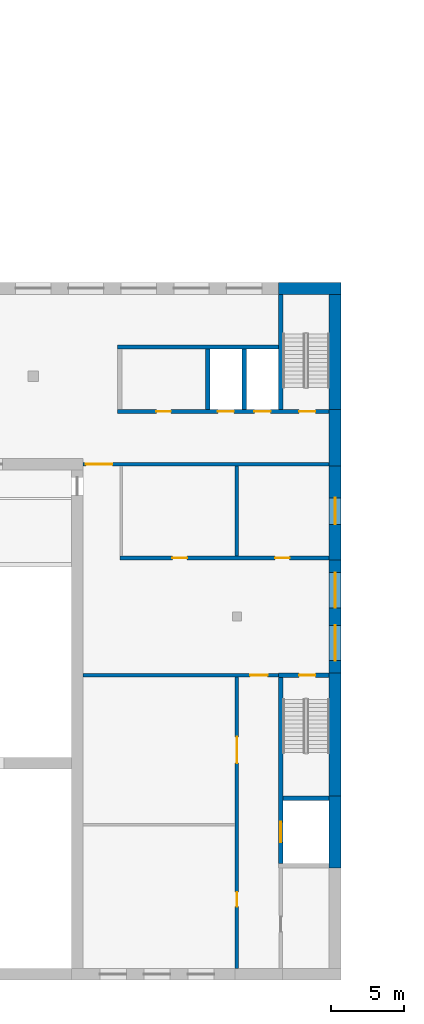
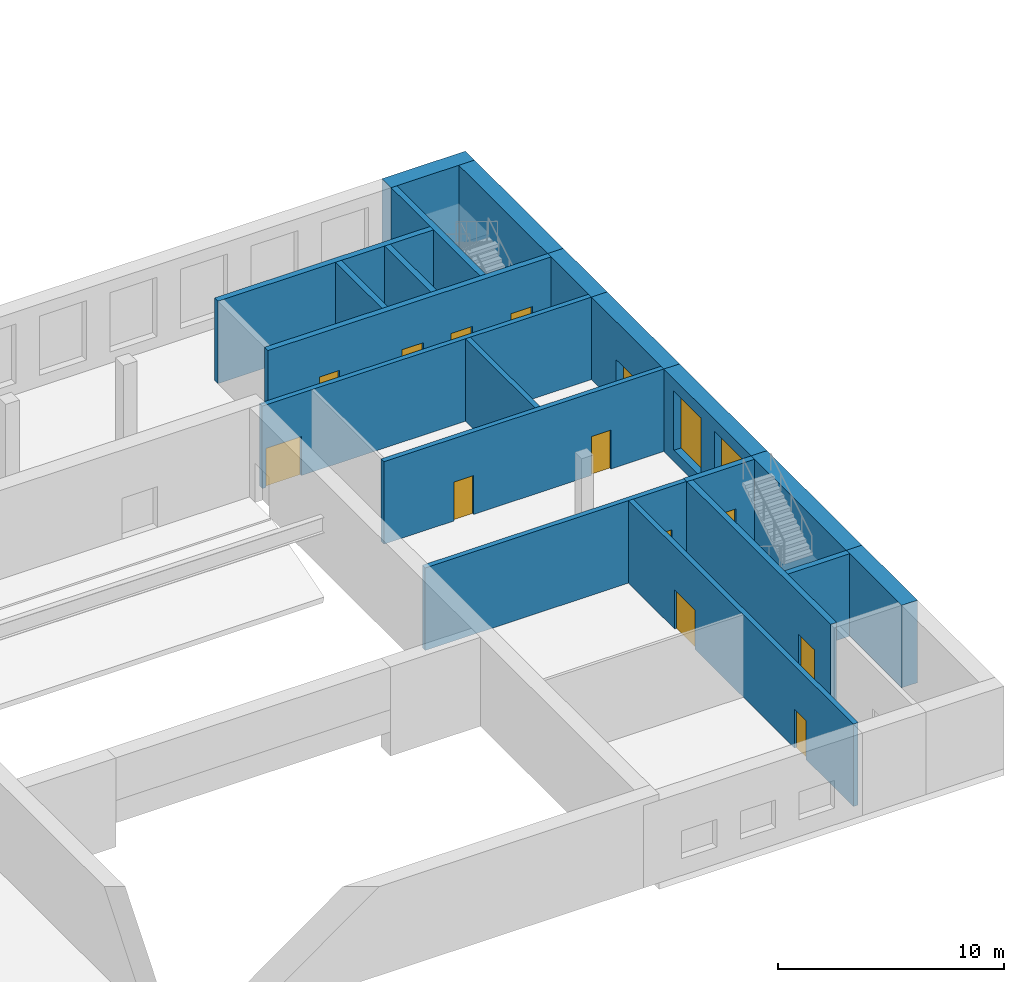
# One storey, part 6 of 27: 20 walls, 12 doors, 3 windows, 15 openings.
"""IFC4 building model written with IfcOpenShell, lengths in metres."""

from ifc_helpers import new_model, si_unit, direction, frame, frame_2d, origin, place, context, subcontext, project, spatial, rectangle, extrude, material, layer, layer_set, type_object, element, fill, save


model = new_model("IFC4")

# Units and contexts
model_context = context("Model", 3, precision=1e-05, world=origin(), true_north=direction((0.0, 1.0)))
body_context = subcontext(model_context, "Body", "Model", "MODEL_VIEW")
ifc_project = project(units=[si_unit("LENGTHUNIT", "METRE"), si_unit("AREAUNIT", "SQUARE_METRE"), si_unit("VOLUMEUNIT", "CUBIC_METRE"), si_unit("PLANEANGLEUNIT", "RADIAN"), si_unit("MASSUNIT", "GRAM", prefix="KILO")], contexts=[model_context])

# Site, building, storey
site_placement = place(None, origin())
site = spatial("IfcSite", under=ifc_project, at=site_placement, CompositionType="ELEMENT")
building_placement = place(site_placement, origin())
building = spatial("IfcBuilding", under=site, at=building_placement, Name="Kiln Ring Residences", CompositionType="ELEMENT")
storey_placement = place(building_placement, frame((0.0, 0.0, 6.5)))
storey = spatial("IfcBuildingStorey", under=building, at=storey_placement, Name="L01", CompositionType="ELEMENT", Elevation=6.5)

# Walls
ifc_material_1 = material(Name="Concrete C40/50", Category="concrete")
ifc_layer_1 = layer(ifc_material_1, 0.800048828125)
ifc_layer_set_1 = layer_set([ifc_layer_1], Name="Hall Exposed brick-faced reinforced concrete C40/50 wall 800")
wall_type_1 = type_object("IfcWallType", Name="Hall Exposed brick-faced reinforced concrete C40/50 wall 800", PredefinedType="SOLIDWALL", material=ifc_layer_set_1)
wall_1_placement = place(storey_placement, frame((25.75, -112.800048828125, 0.0), z_axis=(0.0, 0.0, 1.0), x_axis=(1.0, 0.0, 0.0)))
element("IfcWall", 1, at=wall_1_placement, inside=storey, type_object=wall_type_1, Name="Hall wall L01 28", PredefinedType="SOLIDWALL", context=body_context, shape_type="SweptSolid", body=[
    extrude(rectangle(XDim=4.25, YDim=0.800048828125, at=frame_2d((2.125, 0.0))), origin(), (0.0, 0.0, 1.0), 4.449951171875),
])
wall_2_placement = place(storey_placement, frame((29.60009765625, -147.4501953125, 0.0), z_axis=(0.0, 0.0, 1.0), x_axis=(0.0, -1.0, 0.0)))
element("IfcWall", 2, at=wall_2_placement, inside=storey, type_object=wall_type_1, Name="Hall wall L01 57", PredefinedType="SOLIDWALL", context=body_context, shape_type="SweptSolid", body=[
    extrude(rectangle(XDim=4.899658203125, YDim=0.800048828125, at=frame_2d((2.44970703125, 0.0))), origin(), (0.0, 0.0, 1.0), 4.449951171875),
])
wall_3_placement = place(storey_placement, frame((29.60009765625, -139.050048828125, 0.0), z_axis=(0.0, 0.0, 1.0), x_axis=(0.0, -1.0, 0.0)))
element("IfcWall", 3, at=wall_3_placement, inside=storey, type_object=wall_type_1, Name="Hall wall L01 58", PredefinedType="SOLIDWALL", context=body_context, shape_type="SweptSolid", body=[
    extrude(rectangle(XDim=8.699951171875, YDim=0.800048828125, at=frame_2d((4.35009765625, 0.0))), origin(), (0.0, 0.0, 1.0), 4.449951171875),
])

# Wall, openings, windows
wall_4_placement = place(storey_placement, frame((29.60009765625, -131.0751953125, 0.0), z_axis=(0.0, 0.0, 1.0), x_axis=(0.0, -1.0, 0.0)))
wall_4 = element("IfcWall", 4, at=wall_4_placement, inside=storey, type_object=wall_type_1, Name="Hall wall L01 59", PredefinedType="SOLIDWALL", context=body_context, shape_type="SweptSolid", body=[
    extrude(rectangle(XDim=8.274658203125, YDim=0.800048828125, at=frame_2d((4.13720703125, 0.0))), origin(), (0.0, 0.0, 1.0), 4.449951171875),
])
opening_1_placement = place(wall_4_placement, frame((4.724853515625, 0.0, 0.60009765625)))
opening_1 = element("IfcOpeningElement", 5, at=opening_1_placement, cuts=wall_4, Name="Opening WL01-17", PredefinedType="OPENING", context=body_context, shape_type="SweptSolid", body=[
    extrude(rectangle(XDim=2.39990234375, YDim=3.199951171875, at=frame_2d((1.199951171875, 1.60009765625))), frame((0.0, 0.409912109375, 0.0), z_axis=(0.0, -1.0, 0.0), x_axis=(1.0, 0.0, 0.0)), (0.0, 0.0, 1.0), 0.820068359375),
])
opening_2_placement = place(wall_4_placement, frame((1.125, 0.0, 0.60009765625)))
opening_2 = element("IfcOpeningElement", 6, at=opening_2_placement, cuts=wall_4, Name="Opening WL01-18", PredefinedType="OPENING", context=body_context, shape_type="SweptSolid", body=[
    extrude(rectangle(XDim=2.39990234375, YDim=3.199951171875, at=frame_2d((1.199951171875, 1.60009765625))), frame((0.0, 0.409912109375, 0.0), z_axis=(0.0, -1.0, 0.0), x_axis=(1.0, 0.0, 0.0)), (0.0, 0.0, 1.0), 0.820068359375),
])
ifc_material_2 = material(Name="Glazing in aluminium frame", Category="aluminium")
window_type_1 = type_object("IfcWindowType", Name="Hall foyer window 2400 x 3200", PartitioningType="SINGLE_PANEL", PredefinedType="WINDOW", material=ifc_material_2)
window_1_placement = place(opening_1_placement, origin())
window_1 = element("IfcWindow", 7, at=window_1_placement, inside=storey, type_object=window_type_1, Name="Hall window L01-17", OverallHeight=3.199951171875, OverallWidth=2.39990234375, PartitioningType="SINGLE_PANEL", PredefinedType="WINDOW", context=body_context, shape_type="SweptSolid", body=[
    extrude(rectangle(XDim=2.39990234375, YDim=3.199951171875, at=frame_2d((1.199951171875, 1.60009765625))), frame((0.0, 0.030029296875, 0.0), z_axis=(0.0, -1.0, 0.0), x_axis=(1.0, 0.0, 0.0)), (0.0, 0.0, 1.0), 0.06005859375),
])
fill(opening_1, window_1)
window_2_placement = place(opening_2_placement, origin())
window_2 = element("IfcWindow", 8, at=window_2_placement, inside=storey, type_object=window_type_1, Name="Hall window L01-18", OverallHeight=3.199951171875, OverallWidth=2.39990234375, PartitioningType="SINGLE_PANEL", PredefinedType="WINDOW", context=body_context, shape_type="SweptSolid", body=[
    extrude(rectangle(XDim=2.39990234375, YDim=3.199951171875, at=frame_2d((1.199951171875, 1.60009765625))), frame((0.0, 0.030029296875, 0.0), z_axis=(0.0, -1.0, 0.0), x_axis=(1.0, 0.0, 0.0)), (0.0, 0.0, 1.0), 0.06005859375),
])
fill(opening_2, window_2)

# Wall, opening, window
wall_5_placement = place(storey_placement, frame((29.60009765625, -124.675048828125, 0.0), z_axis=(0.0, 0.0, 1.0), x_axis=(0.0, -1.0, 0.0)))
wall_5 = element("IfcWall", 9, at=wall_5_placement, inside=storey, type_object=wall_type_1, Name="Hall wall L01 60", PredefinedType="SOLIDWALL", context=body_context, shape_type="SweptSolid", body=[
    extrude(rectangle(XDim=6.64990234375, YDim=0.800048828125, at=frame_2d((3.324951171875, 0.0))), origin(), (0.0, 0.0, 1.0), 4.449951171875),
])
opening_3_placement = place(wall_5_placement, frame((2.4248046875, 0.0, 0.89990234375)))
opening_3 = element("IfcOpeningElement", 10, at=opening_3_placement, cuts=wall_5, Name="Opening WL01-19", PredefinedType="OPENING", context=body_context, shape_type="SweptSolid", body=[
    extrude(rectangle(XDim=1.800048828125, YDim=1.5, at=frame_2d((0.89990234375, 0.75))), frame((0.0, 0.409912109375, 0.0), z_axis=(0.0, -1.0, 0.0), x_axis=(1.0, 0.0, 0.0)), (0.0, 0.0, 1.0), 0.820068359375),
])
ifc_material_3 = material(Name="Glazing in aluminium frame", Category="aluminium")
window_type_2 = type_object("IfcWindowType", Name="Hall room window 1800 x 1500", PartitioningType="DOUBLE_PANEL_VERTICAL", PredefinedType="WINDOW", material=ifc_material_3)
window_3_placement = place(opening_3_placement, origin())
window_3 = element("IfcWindow", 11, at=window_3_placement, inside=storey, type_object=window_type_2, Name="Hall window L01-19", OverallHeight=1.5, OverallWidth=1.800048828125, PartitioningType="SINGLE_PANEL", PredefinedType="WINDOW", context=body_context, shape_type="SweptSolid", body=[
    extrude(rectangle(XDim=1.800048828125, YDim=1.5, at=frame_2d((0.89990234375, 0.75))), frame((0.0, 0.030029296875, 0.0), z_axis=(0.0, -1.0, 0.0), x_axis=(1.0, 0.0, 0.0)), (0.0, 0.0, 1.0), 0.06005859375),
])
fill(opening_3, window_3)

# Walls
wall_6_placement = place(storey_placement, frame((29.60009765625, -121.050048828125, 0.0), z_axis=(0.0, 0.0, 1.0), x_axis=(0.0, -1.0, 0.0)))
element("IfcWall", 12, at=wall_6_placement, inside=storey, type_object=wall_type_1, Name="Hall wall L01 61", PredefinedType="SOLIDWALL", context=body_context, shape_type="SweptSolid", body=[
    extrude(rectangle(XDim=3.874755859375, YDim=0.800048828125, at=frame_2d((1.9375, 0.0))), origin(), (0.0, 0.0, 1.0), 4.449951171875),
])
wall_7_placement = place(storey_placement, frame((29.60009765625, -113.199951171875, 0.0), z_axis=(0.0, 0.0, 1.0), x_axis=(0.0, -1.0, 0.0)))
element("IfcWall", 13, at=wall_7_placement, inside=storey, type_object=wall_type_1, Name="Hall wall L01 62", PredefinedType="SOLIDWALL", context=body_context, shape_type="SweptSolid", body=[
    extrude(rectangle(XDim=8.14990234375, YDim=0.800048828125, at=frame_2d((4.074951171875, 0.0))), origin(), (0.0, 0.0, 1.0), 4.449951171875),
])
ifc_material_4 = material(Name="Concrete C40/50", Category="concrete")
ifc_layer_2 = layer(ifc_material_4, 0.300048828125)
ifc_layer_set_2 = layer_set([ifc_layer_2], Name="Hall Reinforced concrete C40/50 core wall 300")
wall_type_2 = type_object("IfcWallType", Name="Hall Reinforced concrete C40/50 core wall 300", PredefinedType="SOLIDWALL", material=ifc_layer_set_2)
wall_8_placement = place(storey_placement, frame((26.050048828125, -147.60009765625, 0.0), z_axis=(0.0, 0.0, 1.0), x_axis=(1.0, 0.0, 0.0)))
element("IfcWall", 14, at=wall_8_placement, inside=storey, type_object=wall_type_2, Name="Hall wall L01 11", PredefinedType="SOLIDWALL", context=body_context, shape_type="SweptSolid", body=[
    extrude(rectangle(XDim=3.14990234375, YDim=0.300048828125, at=frame_2d((1.574951171875, 0.0))), origin(), (0.0, 0.0, 1.0), 4.449951171875),
])

# Wall, opening, door
wall_9_placement = place(storey_placement, frame((25.75, -139.199951171875, 0.0), z_axis=(0.0, 0.0, 1.0), x_axis=(1.0, 0.0, 0.0)))
wall_9 = element("IfcWall", 15, at=wall_9_placement, inside=storey, type_object=wall_type_2, Name="Hall wall L01 16", PredefinedType="SOLIDWALL", context=body_context, shape_type="SweptSolid", body=[
    extrude(rectangle(XDim=3.449951171875, YDim=0.300048828125, at=frame_2d((1.72509765625, 0.0))), origin(), (0.0, 0.0, 1.0), 4.449951171875),
])
opening_4_placement = place(wall_9_placement, frame((1.39990234375, 0.0, 0.0)))
opening_4 = element("IfcOpeningElement", 16, at=opening_4_placement, cuts=wall_9, Name="Opening L01-09", PredefinedType="OPENING", context=body_context, shape_type="SweptSolid", body=[
    extrude(rectangle(XDim=1.10009765625, YDim=2.10009765625, at=frame_2d((0.550048828125, 1.050048828125))), frame((0.0, 0.159912109375, 0.0), z_axis=(0.0, -1.0, 0.0), x_axis=(1.0, 0.0, 0.0)), (0.0, 0.0, 1.0), 0.320068359375),
])
ifc_material_5 = material(Name="Steel door leaf", Category="steel")
door_type_1 = type_object("IfcDoorType", Name="Hall Stair door 1100 x 2100", OperationType="SINGLE_SWING_LEFT", PredefinedType="DOOR", material=ifc_material_5)
door_1_placement = place(opening_4_placement, origin())
door_1 = element("IfcDoor", 17, at=door_1_placement, inside=storey, type_object=door_type_1, Name="Hall door L01-09", OperationType="SINGLE_SWING_LEFT", OverallHeight=2.10009765625, OverallWidth=1.10009765625, PredefinedType="DOOR", context=body_context, shape_type="SweptSolid", body=[
    extrude(rectangle(XDim=1.10009765625, YDim=2.10009765625, at=frame_2d((0.550048828125, 1.050048828125))), frame((0.0, 0.02490234375, 0.0), z_axis=(0.0, -1.0, 0.0), x_axis=(1.0, 0.0, 0.0)), (0.0, 0.0, 1.0), 0.050048828125),
])
fill(opening_4, door_1)

# Wall, openings, doors
wall_10_placement = place(storey_placement, frame((14.75, -121.199951171875, 0.0), z_axis=(0.0, 0.0, 1.0), x_axis=(1.0, 0.0, 0.0)))
wall_10 = element("IfcWall", 18, at=wall_10_placement, inside=storey, type_object=wall_type_2, Name="Hall wall L01 23", PredefinedType="SOLIDWALL", context=body_context, shape_type="SweptSolid", body=[
    extrude(rectangle(XDim=14.449951171875, YDim=0.300048828125, at=frame_2d((7.22509765625, 0.0))), origin(), (0.0, 0.0, 1.0), 4.449951171875),
])
opening_5_placement = place(wall_10_placement, frame((6.85009765625, 0.0, 0.0)))
opening_5 = element("IfcOpeningElement", 19, at=opening_5_placement, cuts=wall_10, Name="Opening L01-03", PredefinedType="OPENING", context=body_context, shape_type="SweptSolid", body=[
    extrude(rectangle(XDim=1.10009765625, YDim=2.10009765625, at=frame_2d((0.550048828125, 1.050048828125))), frame((0.0, 0.159912109375, 0.0), z_axis=(0.0, -1.0, 0.0), x_axis=(1.0, 0.0, 0.0)), (0.0, 0.0, 1.0), 0.320068359375),
])
opening_6_placement = place(wall_10_placement, frame((9.35009765625, 0.0, 0.0)))
opening_6 = element("IfcOpeningElement", 20, at=opening_6_placement, cuts=wall_10, Name="Opening L01-04", PredefinedType="OPENING", context=body_context, shape_type="SweptSolid", body=[
    extrude(rectangle(XDim=1.10009765625, YDim=2.10009765625, at=frame_2d((0.550048828125, 1.050048828125))), frame((0.0, 0.159912109375, 0.0), z_axis=(0.0, -1.0, 0.0), x_axis=(1.0, 0.0, 0.0)), (0.0, 0.0, 1.0), 0.320068359375),
])
opening_7_placement = place(wall_10_placement, frame((12.39990234375, 0.0, 0.0)))
opening_7 = element("IfcOpeningElement", 21, at=opening_7_placement, cuts=wall_10, Name="Opening L01-07", PredefinedType="OPENING", context=body_context, shape_type="SweptSolid", body=[
    extrude(rectangle(XDim=1.10009765625, YDim=2.10009765625, at=frame_2d((0.550048828125, 1.050048828125))), frame((0.0, 0.159912109375, 0.0), z_axis=(0.0, -1.0, 0.0), x_axis=(1.0, 0.0, 0.0)), (0.0, 0.0, 1.0), 0.320068359375),
])
opening_8_placement = place(wall_10_placement, frame((2.64990234375, 0.0, 0.0)))
opening_8 = element("IfcOpeningElement", 22, at=opening_8_placement, cuts=wall_10, Name="Opening L01-11", PredefinedType="OPENING", context=body_context, shape_type="SweptSolid", body=[
    extrude(rectangle(XDim=1.0, YDim=2.10009765625, at=frame_2d((0.5, 1.050048828125))), frame((0.0, 0.159912109375, 0.0), z_axis=(0.0, -1.0, 0.0), x_axis=(1.0, 0.0, 0.0)), (0.0, 0.0, 1.0), 0.320068359375),
])
ifc_material_6 = material(Name="Steel door leaf", Category="steel")
door_type_2 = type_object("IfcDoorType", Name="Hall Lift landing door 1100 x 2100", OperationType="DOUBLE_DOOR_SLIDING", PredefinedType="DOOR", material=ifc_material_6)
door_2_placement = place(opening_5_placement, origin())
door_2 = element("IfcDoor", 23, at=door_2_placement, inside=storey, type_object=door_type_2, Name="Hall door L01-03", OperationType="DOUBLE_DOOR_SLIDING", OverallHeight=2.10009765625, OverallWidth=1.10009765625, PredefinedType="DOOR", context=body_context, shape_type="SweptSolid", body=[
    extrude(rectangle(XDim=1.10009765625, YDim=2.10009765625, at=frame_2d((0.550048828125, 1.050048828125))), frame((0.0, 0.02490234375, 0.0), z_axis=(0.0, -1.0, 0.0), x_axis=(1.0, 0.0, 0.0)), (0.0, 0.0, 1.0), 0.050048828125),
])
fill(opening_5, door_2)
door_3_placement = place(opening_6_placement, origin())
door_3 = element("IfcDoor", 24, at=door_3_placement, inside=storey, type_object=door_type_2, Name="Hall door L01-04", OperationType="DOUBLE_DOOR_SLIDING", OverallHeight=2.10009765625, OverallWidth=1.10009765625, PredefinedType="DOOR", context=body_context, shape_type="SweptSolid", body=[
    extrude(rectangle(XDim=1.10009765625, YDim=2.10009765625, at=frame_2d((0.550048828125, 1.050048828125))), frame((0.0, 0.02490234375, 0.0), z_axis=(0.0, -1.0, 0.0), x_axis=(1.0, 0.0, 0.0)), (0.0, 0.0, 1.0), 0.050048828125),
])
fill(opening_6, door_3)
ifc_material_7 = material(Name="Steel door leaf", Category="steel")
door_type_3 = type_object("IfcDoorType", Name="Hall Single door 1000 x 2100", OperationType="SINGLE_SWING_LEFT", PredefinedType="DOOR", material=ifc_material_7)
door_4_placement = place(opening_8_placement, origin())
door_4 = element("IfcDoor", 25, at=door_4_placement, inside=storey, type_object=door_type_3, Name="Hall door L01-11", OperationType="SINGLE_SWING_LEFT", OverallHeight=2.10009765625, OverallWidth=1.0, PredefinedType="DOOR", context=body_context, shape_type="SweptSolid", body=[
    extrude(rectangle(XDim=1.0, YDim=2.10009765625, at=frame_2d((0.5, 1.050048828125))), frame((0.0, 0.02490234375, 0.0), z_axis=(0.0, -1.0, 0.0), x_axis=(1.0, 0.0, 0.0)), (0.0, 0.0, 1.0), 0.050048828125),
])
fill(opening_8, door_4)
door_5_placement = place(opening_7_placement, origin())
door_5 = element("IfcDoor", 26, at=door_5_placement, inside=storey, type_object=door_type_1, Name="Hall door L01-07", OperationType="SINGLE_SWING_LEFT", OverallHeight=2.10009765625, OverallWidth=1.10009765625, PredefinedType="DOOR", context=body_context, shape_type="SweptSolid", body=[
    extrude(rectangle(XDim=1.10009765625, YDim=2.10009765625, at=frame_2d((0.550048828125, 1.050048828125))), frame((0.0, 0.02490234375, 0.0), z_axis=(0.0, -1.0, 0.0), x_axis=(1.0, 0.0, 0.0)), (0.0, 0.0, 1.0), 0.050048828125),
])
fill(opening_7, door_5)

# Walls
wall_11_placement = place(storey_placement, frame((14.75, -116.800048828125, 0.0), z_axis=(0.0, 0.0, 1.0), x_axis=(1.0, 0.0, 0.0)))
element("IfcWall", 27, at=wall_11_placement, inside=storey, type_object=wall_type_2, Name="Hall wall L01 25", PredefinedType="SOLIDWALL", context=body_context, shape_type="SweptSolid", body=[
    extrude(rectangle(XDim=11.0, YDim=0.300048828125, at=frame_2d((5.5, 0.0))), origin(), (0.0, 0.0, 1.0), 4.449951171875),
])
for number, where, z_axis, x_axis, name in (
    (28, (20.89990234375, -121.050048828125, 0.0), (0.0, 0.0, 1.0), (0.0, 1.0, 0.0), "Hall wall L01 49"),
    (29, (23.39990234375, -121.050048828125, 0.0), (0.0, 0.0, 1.0), (0.0, 1.0, 0.0), "Hall wall L01 52"),
):
    element("IfcWall", number, at=place(storey_placement, frame(where, z_axis=z_axis, x_axis=x_axis)), inside=storey, type_object=wall_type_2, Name=name, PredefinedType="SOLIDWALL", context=body_context, shape_type="SweptSolid", body=[
        extrude(rectangle(XDim=4.10009765625, YDim=0.300048828125, at=frame_2d((2.050048828125, 0.0))), origin(), (0.0, 0.0, 1.0), 4.449951171875),
    ])

# Wall, opening, door
wall_12_placement = place(storey_placement, frame((25.89990234375, -152.050048828125, 0.0), z_axis=(0.0, 0.0, 1.0), x_axis=(0.0, 1.0, 0.0)))
wall_12 = element("IfcWall", 30, at=wall_12_placement, inside=storey, type_object=wall_type_2, Name="Hall wall L01 54", PredefinedType="SOLIDWALL", context=body_context, shape_type="SweptSolid", body=[
    extrude(rectangle(XDim=12.824951171875, YDim=0.300048828125, at=frame_2d((6.41259765625, 0.0))), origin(), (0.0, 0.0, 1.0), 4.449951171875),
])
opening_9_placement = place(wall_12_placement, frame((1.449951171875, 0.0, 0.0)))
opening_9 = element("IfcOpeningElement", 31, at=opening_9_placement, cuts=wall_12, Name="Opening L01-05", PredefinedType="OPENING", context=body_context, shape_type="SweptSolid", body=[
    extrude(rectangle(XDim=1.39990234375, YDim=2.199951171875, at=frame_2d((0.699951171875, 1.10009765625))), frame((0.0, 0.159912109375, 0.0), z_axis=(0.0, -1.0, 0.0), x_axis=(1.0, 0.0, 0.0)), (0.0, 0.0, 1.0), 0.320068359375),
])
ifc_material_8 = material(Name="Steel door leaf", Category="steel")
door_type_4 = type_object("IfcDoorType", Name="Hall Goods lift landing door 1400 x 2200", OperationType="DOUBLE_DOOR_SLIDING", PredefinedType="DOOR", material=ifc_material_8)
door_6_placement = place(opening_9_placement, origin())
door_6 = element("IfcDoor", 32, at=door_6_placement, inside=storey, type_object=door_type_4, Name="Hall door L01-05", OperationType="DOUBLE_DOOR_SLIDING", OverallHeight=2.199951171875, OverallWidth=1.39990234375, PredefinedType="DOOR", context=body_context, shape_type="SweptSolid", body=[
    extrude(rectangle(XDim=1.39990234375, YDim=2.199951171875, at=frame_2d((0.699951171875, 1.10009765625))), frame((0.0, 0.02490234375, 0.0), z_axis=(0.0, -1.0, 0.0), x_axis=(1.0, 0.0, 0.0)), (0.0, 0.0, 1.0), 0.050048828125),
])
fill(opening_9, door_6)

# Wall
wall_13_placement = place(storey_placement, frame((25.89990234375, -121.050048828125, 0.0), z_axis=(0.0, 0.0, 1.0), x_axis=(0.0, 1.0, 0.0)))
element("IfcWall", 33, at=wall_13_placement, inside=storey, type_object=wall_type_2, Name="Hall wall L01 55", PredefinedType="SOLIDWALL", context=body_context, shape_type="SweptSolid", body=[
    extrude(rectangle(XDim=7.85009765625, YDim=0.300048828125, at=frame_2d((3.925048828125, 0.0))), origin(), (0.0, 0.0, 1.0), 4.449951171875),
])

# Wall, opening, door
ifc_material_9 = material(Name="Concrete C40/50", Category="concrete")
ifc_layer_3 = layer(ifc_material_9, 0.25)
ifc_layer_set_3 = layer_set([ifc_layer_3], Name="Hall Reinforced concrete C40/50 wall 250")
wall_type_3 = type_object("IfcWallType", Name="Hall Reinforced concrete C40/50 wall 250", PredefinedType="SOLIDWALL", material=ifc_layer_set_3)
wall_14_placement = place(storey_placement, frame((12.39990234375, -139.199951171875, 0.0), z_axis=(0.0, 0.0, 1.0), x_axis=(1.0, 0.0, 0.0)))
wall_14 = element("IfcWall", 34, at=wall_14_placement, inside=storey, type_object=wall_type_3, Name="Hall wall L01 15", PredefinedType="SOLIDWALL", context=body_context, shape_type="SweptSolid", body=[
    extrude(rectangle(XDim=13.35009765625, YDim=0.25, at=frame_2d((6.675048828125, 0.0))), origin(), (0.0, 0.0, 1.0), 4.449951171875),
])
opening_10_placement = place(wall_14_placement, frame((11.39990234375, 0.0, 0.0)))
opening_10 = element("IfcOpeningElement", 35, at=opening_10_placement, cuts=wall_14, Name="Opening L01-22", PredefinedType="OPENING", context=body_context, shape_type="SweptSolid", body=[
    extrude(rectangle(XDim=1.199951171875, YDim=2.10009765625, at=frame_2d((0.60009765625, 1.050048828125))), frame((0.0, 0.135009765625, 0.0), z_axis=(0.0, -1.0, 0.0), x_axis=(1.0, 0.0, 0.0)), (0.0, 0.0, 1.0), 0.27001953125),
])
ifc_material_10 = material(Name="Steel door leaf", Category="steel")
door_type_5 = type_object("IfcDoorType", Name="Hall Single door 1200 x 2100", OperationType="SINGLE_SWING_LEFT", PredefinedType="DOOR", material=ifc_material_10)
door_7_placement = place(opening_10_placement, origin())
door_7 = element("IfcDoor", 36, at=door_7_placement, inside=storey, type_object=door_type_5, Name="Hall door L01-22", OperationType="SINGLE_SWING_RIGHT", OverallHeight=2.10009765625, OverallWidth=1.199951171875, PredefinedType="DOOR", context=body_context, shape_type="SweptSolid", body=[
    extrude(rectangle(XDim=1.199951171875, YDim=2.10009765625, at=frame_2d((0.60009765625, 1.050048828125))), frame((0.0, 0.02490234375, 0.0), z_axis=(0.0, -1.0, 0.0), x_axis=(1.0, 0.0, 0.0)), (0.0, 0.0, 1.0), 0.050048828125),
])
fill(opening_10, door_7)

# Wall, openings, doors
wall_15_placement = place(storey_placement, frame((14.925048828125, -131.199951171875, 0.0), z_axis=(0.0, 0.0, 1.0), x_axis=(1.0, 0.0, 0.0)))
wall_15 = element("IfcWall", 37, at=wall_15_placement, inside=storey, type_object=wall_type_3, Name="Hall wall L01 18", PredefinedType="SOLIDWALL", context=body_context, shape_type="SweptSolid", body=[
    extrude(rectangle(XDim=14.27490234375, YDim=0.25, at=frame_2d((7.137451171875, 0.0))), origin(), (0.0, 0.0, 1.0), 4.449951171875),
])
opening_11_placement = place(wall_15_placement, frame((3.574951171875, 0.0, 0.0)))
opening_11 = element("IfcOpeningElement", 38, at=opening_11_placement, cuts=wall_15, Name="Opening L01-28", PredefinedType="OPENING", context=body_context, shape_type="SweptSolid", body=[
    extrude(rectangle(XDim=1.0, YDim=2.10009765625, at=frame_2d((0.5, 1.050048828125))), frame((0.0, 0.135009765625, 0.0), z_axis=(0.0, -1.0, 0.0), x_axis=(1.0, 0.0, 0.0)), (0.0, 0.0, 1.0), 0.27001953125),
])
opening_12_placement = place(wall_15_placement, frame((10.574951171875, 0.0, 0.0)))
opening_12 = element("IfcOpeningElement", 39, at=opening_12_placement, cuts=wall_15, Name="Opening L01-29", PredefinedType="OPENING", context=body_context, shape_type="SweptSolid", body=[
    extrude(rectangle(XDim=1.0, YDim=2.10009765625, at=frame_2d((0.5, 1.050048828125))), frame((0.0, 0.135009765625, 0.0), z_axis=(0.0, -1.0, 0.0), x_axis=(1.0, 0.0, 0.0)), (0.0, 0.0, 1.0), 0.27001953125),
])
door_8_placement = place(opening_11_placement, origin())
door_8 = element("IfcDoor", 40, at=door_8_placement, inside=storey, type_object=door_type_3, Name="Hall door L01-28", OperationType="SINGLE_SWING_RIGHT", OverallHeight=2.10009765625, OverallWidth=1.0, PredefinedType="DOOR", context=body_context, shape_type="SweptSolid", body=[
    extrude(rectangle(XDim=1.0, YDim=2.10009765625, at=frame_2d((0.5, 1.050048828125))), frame((0.0, 0.02490234375, 0.0), z_axis=(0.0, -1.0, 0.0), x_axis=(1.0, 0.0, 0.0)), (0.0, 0.0, 1.0), 0.050048828125),
])
fill(opening_11, door_8)
door_9_placement = place(opening_12_placement, origin())
door_9 = element("IfcDoor", 41, at=door_9_placement, inside=storey, type_object=door_type_3, Name="Hall door L01-29", OperationType="SINGLE_SWING_LEFT", OverallHeight=2.10009765625, OverallWidth=1.0, PredefinedType="DOOR", context=body_context, shape_type="SweptSolid", body=[
    extrude(rectangle(XDim=1.0, YDim=2.10009765625, at=frame_2d((0.5, 1.050048828125))), frame((0.0, 0.02490234375, 0.0), z_axis=(0.0, -1.0, 0.0), x_axis=(1.0, 0.0, 0.0)), (0.0, 0.0, 1.0), 0.050048828125),
])
fill(opening_12, door_9)

# Wall, opening, door
wall_16_placement = place(storey_placement, frame((12.39990234375, -124.800048828125, 0.0), z_axis=(0.0, 0.0, 1.0), x_axis=(1.0, 0.0, 0.0)))
wall_16 = element("IfcWall", 42, at=wall_16_placement, inside=storey, type_object=wall_type_3, Name="Hall wall L01 21", PredefinedType="SOLIDWALL", context=body_context, shape_type="SweptSolid", body=[
    extrude(rectangle(XDim=16.800048828125, YDim=0.25, at=frame_2d((8.39990234375, 0.0))), origin(), (0.0, 0.0, 1.0), 4.449951171875),
])
opening_13_placement = place(wall_16_placement, frame((0.199951171875, 0.0, 0.0)))
opening_13 = element("IfcOpeningElement", 43, at=opening_13_placement, cuts=wall_16, Name="Opening L01-17", PredefinedType="OPENING", context=body_context, shape_type="SweptSolid", body=[
    extrude(rectangle(XDim=1.800048828125, YDim=2.10009765625, at=frame_2d((0.89990234375, 1.050048828125))), frame((0.0, 0.135009765625, 0.0), z_axis=(0.0, -1.0, 0.0), x_axis=(1.0, 0.0, 0.0)), (0.0, 0.0, 1.0), 0.27001953125),
])
ifc_material_11 = material(Name="Steel door leaf", Category="steel")
door_type_6 = type_object("IfcDoorType", Name="Hall Double door 1800 x 2100", OperationType="DOUBLE_DOOR_SINGLE_SWING", PredefinedType="DOOR", material=ifc_material_11)
door_10_placement = place(opening_13_placement, origin())
door_10 = element("IfcDoor", 44, at=door_10_placement, inside=storey, type_object=door_type_6, Name="Hall door L01-17", OperationType="DOUBLE_DOOR_SINGLE_SWING", OverallHeight=2.10009765625, OverallWidth=1.800048828125, PredefinedType="DOOR", context=body_context, shape_type="SweptSolid", body=[
    extrude(rectangle(XDim=1.800048828125, YDim=2.10009765625, at=frame_2d((0.89990234375, 1.050048828125))), frame((0.0, 0.02490234375, 0.0), z_axis=(0.0, -1.0, 0.0), x_axis=(1.0, 0.0, 0.0)), (0.0, 0.0, 1.0), 0.050048828125),
])
fill(opening_13, door_10)

# Wall, openings, doors
wall_17_placement = place(storey_placement, frame((22.89990234375, -159.199951171875, 0.0), z_axis=(0.0, 0.0, 1.0), x_axis=(0.0, 1.0, 0.0)))
wall_17 = element("IfcWall", 45, at=wall_17_placement, inside=storey, type_object=wall_type_3, Name="Hall wall L01 50", PredefinedType="SOLIDWALL", context=body_context, shape_type="SweptSolid", body=[
    extrude(rectangle(XDim=19.875, YDim=0.25, at=frame_2d((9.9375, 0.0))), origin(), (0.0, 0.0, 1.0), 4.449951171875),
])
opening_14_placement = place(wall_17_placement, frame((14.0, 0.0, 0.0)))
opening_14 = element("IfcOpeningElement", 46, at=opening_14_placement, cuts=wall_17, Name="Opening L01-25", PredefinedType="OPENING", context=body_context, shape_type="SweptSolid", body=[
    extrude(rectangle(XDim=1.800048828125, YDim=2.10009765625, at=frame_2d((0.89990234375, 1.050048828125))), frame((0.0, 0.135009765625, 0.0), z_axis=(0.0, -1.0, 0.0), x_axis=(1.0, 0.0, 0.0)), (0.0, 0.0, 1.0), 0.27001953125),
])
opening_15_placement = place(wall_17_placement, frame((4.199951171875, 0.0, 0.0)))
opening_15 = element("IfcOpeningElement", 47, at=opening_15_placement, cuts=wall_17, Name="Opening L01-26", PredefinedType="OPENING", context=body_context, shape_type="SweptSolid", body=[
    extrude(rectangle(XDim=1.0, YDim=2.10009765625, at=frame_2d((0.5, 1.050048828125))), frame((0.0, 0.135009765625, 0.0), z_axis=(0.0, -1.0, 0.0), x_axis=(1.0, 0.0, 0.0)), (0.0, 0.0, 1.0), 0.27001953125),
])
door_11_placement = place(opening_14_placement, origin())
door_11 = element("IfcDoor", 48, at=door_11_placement, inside=storey, type_object=door_type_6, Name="Hall door L01-25", OperationType="DOUBLE_DOOR_SINGLE_SWING", OverallHeight=2.10009765625, OverallWidth=1.800048828125, PredefinedType="DOOR", context=body_context, shape_type="SweptSolid", body=[
    extrude(rectangle(XDim=1.800048828125, YDim=2.10009765625, at=frame_2d((0.89990234375, 1.050048828125))), frame((0.0, 0.02490234375, 0.0), z_axis=(0.0, -1.0, 0.0), x_axis=(1.0, 0.0, 0.0)), (0.0, 0.0, 1.0), 0.050048828125),
])
fill(opening_14, door_11)
door_12_placement = place(opening_15_placement, origin())
door_12 = element("IfcDoor", 49, at=door_12_placement, inside=storey, type_object=door_type_3, Name="Hall door L01-26", OperationType="SINGLE_SWING_RIGHT", OverallHeight=2.10009765625, OverallWidth=1.0, PredefinedType="DOOR", context=body_context, shape_type="SweptSolid", body=[
    extrude(rectangle(XDim=1.0, YDim=2.10009765625, at=frame_2d((0.5, 1.050048828125))), frame((0.0, 0.02490234375, 0.0), z_axis=(0.0, -1.0, 0.0), x_axis=(1.0, 0.0, 0.0)), (0.0, 0.0, 1.0), 0.050048828125),
])
fill(opening_15, door_12)

# Wall
wall_18_placement = place(storey_placement, frame((22.89990234375, -131.074951171875, 0.0), z_axis=(0.0, 0.0, 1.0), x_axis=(0.0, 1.0, 0.0)))
element("IfcWall", 50, at=wall_18_placement, inside=storey, type_object=wall_type_3, Name="Hall wall L01 51", PredefinedType="SOLIDWALL", context=body_context, shape_type="SweptSolid", body=[
    extrude(rectangle(XDim=6.14990234375, YDim=0.25, at=frame_2d((3.074951171875, 0.0))), origin(), (0.0, 0.0, 1.0), 4.449951171875),
])

save(model, "model.ifc")
